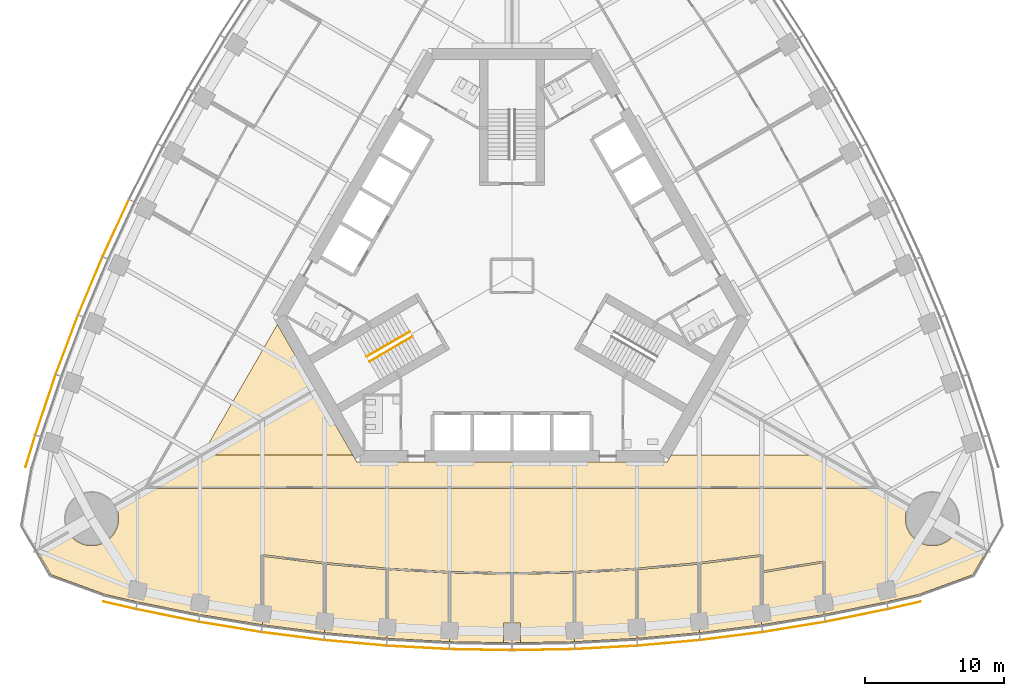
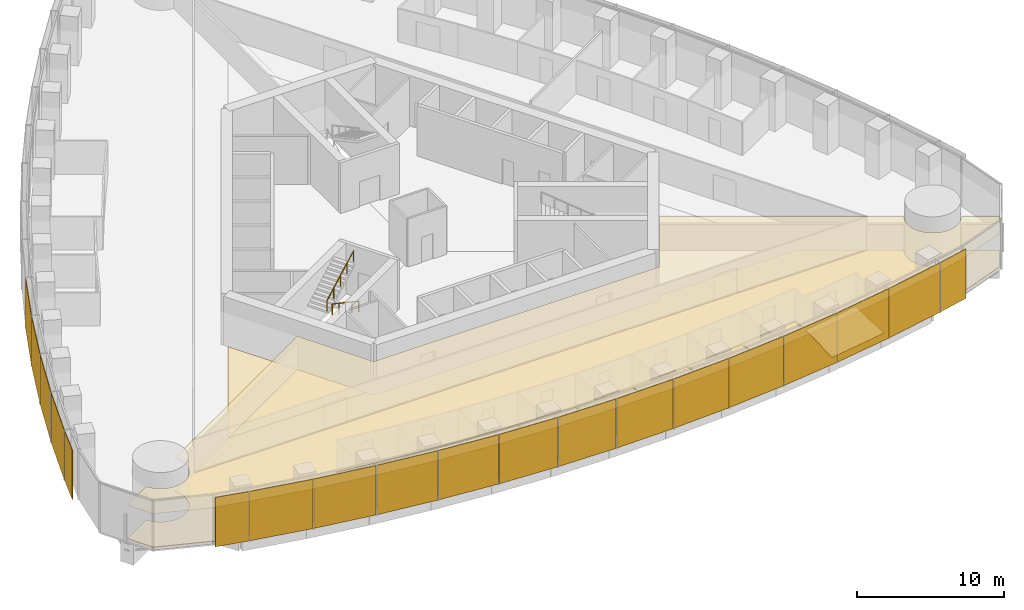
# One storey, part 17 of 21: 19 shading devices, 14 coverings, 2 railings.
"""IFC4 building model written with IfcOpenShell, lengths in metres."""

from ifc_helpers import new_model, si_unit, direction, frame, origin, origin_2d, place, context, subcontext, project, spatial, polyline, rectangle, circle, outline, extrude, material, layer, layer_set, type_object, element, save


model = new_model("IFC4")

# Units and contexts
model_context = context("Model", 3, precision=1e-05, world=origin(), true_north=direction((0.0, 1.0)))
body_context = subcontext(model_context, "Body", "Model", "MODEL_VIEW")
ifc_project = project(units=[si_unit("LENGTHUNIT", "METRE"), si_unit("AREAUNIT", "SQUARE_METRE"), si_unit("VOLUMEUNIT", "CUBIC_METRE"), si_unit("PLANEANGLEUNIT", "RADIAN"), si_unit("MASSUNIT", "GRAM", prefix="KILO")], contexts=[model_context])

# Site, building, storey
site_placement = place(None, origin())
site = spatial("IfcSite", under=ifc_project, at=site_placement, CompositionType="ELEMENT")
building_placement = place(site_placement, origin())
building = spatial("IfcBuilding", under=site, at=building_placement, Name="Trefoil Bronze Tower", CompositionType="ELEMENT")
storey_placement = place(building_placement, frame((0.0, 0.0, 145.10009765625)))
storey = spatial("IfcBuildingStorey", under=building, at=storey_placement, Name="L33", CompositionType="ELEMENT", Elevation=145.10009765625)

# Shading devices
ifc_material_1 = material(Name="Perforated bronze sheet", Category="bronze")
ifc_layer_1 = layer(ifc_material_1, 0.0400390625)
ifc_layer_set_1 = layer_set([ifc_layer_1], Name="Bronze solar screen panel")
shading_device_type = type_object("IfcShadingDeviceType", Name="Bronze solar screen panel", PredefinedType="SHUTTER", material=ifc_layer_set_1)
shading_device_1_placement = place(storey_placement, frame((-28.30078125, -23.748779296875, 0.0498046875), z_axis=(0.0, 0.0, 1.0), x_axis=(0.97420444715, -0.225667222151, 0.0)))
element("IfcShadingDevice", 1, at=shading_device_1_placement, inside=storey, type_object=shading_device_type, Name="Solar screen CW-A L33 F1 bay 1", PredefinedType="SHUTTER", context=body_context, shape_type="SweptSolid", body=[
    extrude(rectangle(XDim=2.39013671875, YDim=0.0400390625, at=origin_2d()), origin(), (0.0, 0.0, 1.0), 4.10009765625),
])
shading_device_2_placement = place(storey_placement, frame((-24.85693359375, -24.480224609375, 0.0498046875), z_axis=(0.0, 0.0, 1.0), x_axis=(0.980155155547, -0.198231861853, 0.0)))
element("IfcShadingDevice", 2, at=shading_device_2_placement, inside=storey, type_object=shading_device_type, Name="Solar screen CW-A L33 F1 bay 2", PredefinedType="SHUTTER", context=body_context, shape_type="SweptSolid", body=[
    extrude(rectangle(XDim=4.56103515625, YDim=0.0400390625, at=origin_2d()), origin(), (0.0, 0.0, 1.0), 4.10009765625),
])
shading_device_3_placement = place(storey_placement, frame((-20.337646484375, -25.30859375, 0.0498046875), z_axis=(0.0, 0.0, 1.0), x_axis=(0.986759655731, -0.162189339418, 0.0)))
element("IfcShadingDevice", 3, at=shading_device_3_placement, inside=storey, type_object=shading_device_type, Name="Solar screen CW-A L33 F1 bay 3", PredefinedType="SHUTTER", context=body_context, shape_type="SweptSolid", body=[
    extrude(rectangle(XDim=4.5302734375, YDim=0.0400390625, at=origin_2d()), origin(), (0.0, 0.0, 1.0), 4.10009765625),
])
shading_device_4_placement = place(storey_placement, frame((-15.818115234375, -25.96728515625, 0.0498046875), z_axis=(0.0, 0.0, 1.0), x_axis=(0.992011554286, -0.126147041833, 0.0)))
element("IfcShadingDevice", 4, at=shading_device_4_placement, inside=storey, type_object=shading_device_type, Name="Solar screen CW-A L33 F1 bay 4", PredefinedType="SHUTTER", context=body_context, shape_type="SweptSolid", body=[
    extrude(rectangle(XDim=4.50634765625, YDim=0.0400390625, at=origin_2d()), origin(), (0.0, 0.0, 1.0), 4.10009765625),
])
shading_device_5_placement = place(storey_placement, frame((-11.298583984375, -26.459228515625, 0.0498046875), z_axis=(0.0, 0.0, 1.0), x_axis=(0.995932279146, -0.090104913044, 0.0)))
element("IfcShadingDevice", 5, at=shading_device_5_placement, inside=storey, type_object=shading_device_type, Name="Solar screen CW-A L33 F1 bay 5", PredefinedType="SHUTTER", context=body_context, shape_type="SweptSolid", body=[
    extrude(rectangle(XDim=4.48828125, YDim=0.0400390625, at=origin_2d()), origin(), (0.0, 0.0, 1.0), 4.10009765625),
])
shading_device_6_placement = place(storey_placement, frame((-6.779296875, -26.785888671875, 0.0498046875), z_axis=(0.0, 0.0, 1.0), x_axis=(0.998537531923, -0.054062901701, 0.0)))
element("IfcShadingDevice", 6, at=shading_device_6_placement, inside=storey, type_object=shading_device_type, Name="Solar screen CW-A L33 F1 bay 6", PredefinedType="SHUTTER", context=body_context, shape_type="SweptSolid", body=[
    extrude(rectangle(XDim=4.4765625, YDim=0.0400390625, at=origin_2d()), origin(), (0.0, 0.0, 1.0), 4.10009765625),
])
for number, where, z_axis, x_axis, name in (
    (7, (-2.259765625, -26.948974609375, 0.0498046875), (0.0, 0.0, 1.0), (0.999837609322, -0.018020959612, 0.0), "Solar screen CW-A L33 F1 bay 7"),
    (8, (2.259765625, -26.948974609375, 0.0498046875), (0.0, 0.0, 1.0), (0.999837609322, 0.018020959612, 0.0), "Solar screen CW-A L33 F1 bay 8"),
):
    element("IfcShadingDevice", number, at=place(storey_placement, frame(where, z_axis=z_axis, x_axis=x_axis)), inside=storey, type_object=shading_device_type, Name=name, PredefinedType="SHUTTER", context=body_context, shape_type="SweptSolid", body=[
        extrude(rectangle(XDim=4.470703125, YDim=0.0400390625, at=origin_2d()), origin(), (0.0, 0.0, 1.0), 4.10009765625),
    ])
shading_device_7_placement = place(storey_placement, frame((6.779296875, -26.785888671875, 0.0498046875), z_axis=(0.0, 0.0, 1.0), x_axis=(0.998537531923, 0.054062901701, 0.0)))
element("IfcShadingDevice", 9, at=shading_device_7_placement, inside=storey, type_object=shading_device_type, Name="Solar screen CW-A L33 F1 bay 9", PredefinedType="SHUTTER", context=body_context, shape_type="SweptSolid", body=[
    extrude(rectangle(XDim=4.4765625, YDim=0.0400390625, at=origin_2d()), origin(), (0.0, 0.0, 1.0), 4.10009765625),
])
shading_device_8_placement = place(storey_placement, frame((11.298583984375, -26.459228515625, 0.0498046875), z_axis=(0.0, 0.0, 1.0), x_axis=(0.995932279146, 0.090104913044, 0.0)))
element("IfcShadingDevice", 10, at=shading_device_8_placement, inside=storey, type_object=shading_device_type, Name="Solar screen CW-A L33 F1 bay 10", PredefinedType="SHUTTER", context=body_context, shape_type="SweptSolid", body=[
    extrude(rectangle(XDim=4.48828125, YDim=0.0400390625, at=origin_2d()), origin(), (0.0, 0.0, 1.0), 4.10009765625),
])
shading_device_9_placement = place(storey_placement, frame((15.818115234375, -25.96728515625, 0.0498046875), z_axis=(0.0, 0.0, 1.0), x_axis=(0.992011554286, 0.126147041833, 0.0)))
element("IfcShadingDevice", 11, at=shading_device_9_placement, inside=storey, type_object=shading_device_type, Name="Solar screen CW-A L33 F1 bay 11", PredefinedType="SHUTTER", context=body_context, shape_type="SweptSolid", body=[
    extrude(rectangle(XDim=4.50634765625, YDim=0.0400390625, at=origin_2d()), origin(), (0.0, 0.0, 1.0), 4.10009765625),
])
shading_device_10_placement = place(storey_placement, frame((20.337646484375, -25.30859375, 0.0498046875), z_axis=(0.0, 0.0, 1.0), x_axis=(0.986759655731, 0.162189339418, 0.0)))
element("IfcShadingDevice", 12, at=shading_device_10_placement, inside=storey, type_object=shading_device_type, Name="Solar screen CW-A L33 F1 bay 12", PredefinedType="SHUTTER", context=body_context, shape_type="SweptSolid", body=[
    extrude(rectangle(XDim=4.5302734375, YDim=0.0400390625, at=origin_2d()), origin(), (0.0, 0.0, 1.0), 4.10009765625),
])
shading_device_11_placement = place(storey_placement, frame((24.85693359375, -24.480224609375, 0.0498046875), z_axis=(0.0, 0.0, 1.0), x_axis=(0.980155155547, 0.198231861853, 0.0)))
element("IfcShadingDevice", 13, at=shading_device_11_placement, inside=storey, type_object=shading_device_type, Name="Solar screen CW-A L33 F1 bay 13", PredefinedType="SHUTTER", context=body_context, shape_type="SweptSolid", body=[
    extrude(rectangle(XDim=4.56103515625, YDim=0.0400390625, at=origin_2d()), origin(), (0.0, 0.0, 1.0), 4.10009765625),
])
shading_device_12_placement = place(storey_placement, frame((28.30078125, -23.748779296875, 0.0498046875), z_axis=(0.0, 0.0, 1.0), x_axis=(0.97420444715, 0.225667222151, 0.0)))
element("IfcShadingDevice", 14, at=shading_device_12_placement, inside=storey, type_object=shading_device_type, Name="Solar screen CW-A L33 F1 bay 14", PredefinedType="SHUTTER", context=body_context, shape_type="SweptSolid", body=[
    extrude(rectangle(XDim=2.39013671875, YDim=0.0400390625, at=origin_2d()), origin(), (0.0, 0.0, 1.0), 4.10009765625),
])
shading_device_13_placement = place(storey_placement, frame((-28.563720703125, 3.444580078125, 0.0498046875), z_axis=(0.0, 0.0, 1.0), x_axis=(-0.419932995871, -0.907555110712, 0.0)))
element("IfcShadingDevice", 15, at=shading_device_13_placement, inside=storey, type_object=shading_device_type, Name="Solar screen CW-A L33 F3 bay 10", PredefinedType="SHUTTER", context=body_context, shape_type="SweptSolid", body=[
    extrude(rectangle(XDim=4.48828125, YDim=0.0400390625, at=origin_2d()), origin(), (0.0, 0.0, 1.0), 4.10009765625),
])
shading_device_14_placement = place(storey_placement, frame((-30.3974609375, -0.715087890625, 0.0498046875), z_axis=(0.0, 0.0, 1.0), x_axis=(-0.386759234303, -0.922180727776, 0.0)))
element("IfcShadingDevice", 16, at=shading_device_14_placement, inside=storey, type_object=shading_device_type, Name="Solar screen CW-A L33 F3 bay 11", PredefinedType="SHUTTER", context=body_context, shape_type="SweptSolid", body=[
    extrude(rectangle(XDim=4.50634765625, YDim=0.0400390625, at=origin_2d()), origin(), (0.0, 0.0, 1.0), 4.10009765625),
])
shading_device_15_placement = place(storey_placement, frame((-32.086669921875, -4.95849609375, 0.0498046875), z_axis=(0.0, 0.0, 1.0), x_axis=(-0.352919739707, -0.935653599002, 0.0)))
element("IfcShadingDevice", 17, at=shading_device_15_placement, inside=storey, type_object=shading_device_type, Name="Solar screen CW-A L33 F3 bay 12", PredefinedType="SHUTTER", context=body_context, shape_type="SweptSolid", body=[
    extrude(rectangle(XDim=4.5302734375, YDim=0.0400390625, at=origin_2d()), origin(), (0.0, 0.0, 1.0), 4.10009765625),
])
shading_device_16_placement = place(storey_placement, frame((-33.62890625, -9.286865234375, 0.0498046875), z_axis=(0.0, 0.0, 1.0), x_axis=(-0.318403749569, -0.947955195281, 0.0)))
element("IfcShadingDevice", 18, at=shading_device_16_placement, inside=storey, type_object=shading_device_type, Name="Solar screen CW-A L33 F3 bay 13", PredefinedType="SHUTTER", context=body_context, shape_type="SweptSolid", body=[
    extrude(rectangle(XDim=4.56103515625, YDim=0.0400390625, at=origin_2d()), origin(), (0.0, 0.0, 1.0), 4.10009765625),
])
shading_device_17_placement = place(storey_placement, frame((-34.717529296875, -12.634765625, 0.0498046875), z_axis=(0.0, 0.0, 1.0), x_axis=(-0.291668676391, -0.956519410787, 0.0)))
element("IfcShadingDevice", 19, at=shading_device_17_placement, inside=storey, type_object=shading_device_type, Name="Solar screen CW-A L33 F3 bay 14", PredefinedType="SHUTTER", context=body_context, shape_type="SweptSolid", body=[
    extrude(rectangle(XDim=2.39013671875, YDim=0.0400390625, at=origin_2d()), origin(), (0.0, 0.0, 1.0), 4.10009765625),
])

# Railings
ifc_material_2 = material(Name="Steel handrail", Category="steel")
railing_type = type_object("IfcRailingType", Name="Handrail 900", PredefinedType="HANDRAIL", material=ifc_material_2)
railing_1_placement = place(storey_placement, frame((-7.166015625, -4.3681640625, 0.161376953125)))
element("IfcRailing", 20, at=railing_1_placement, inside=storey, type_object=railing_type, Name="Handrail ST3 flight 1 L33", PredefinedType="HANDRAIL", context=body_context, shape_type="SweptSolid", body=[
    extrude(circle(Radius=0.02392578125, at=origin_2d()), frame((0.0, 0.0, 0.8759765625), z_axis=(-0.76250339821, -0.440245697338, 0.474101564745), x_axis=(0.500012057535, -0.866018442252, 0.0)), (0.0, 0.0, 1.0), 4.088623046875),
    extrude(circle(Radius=0.02099609375, at=origin_2d()), origin(), (0.0, 0.0, 1.0), 0.851806640625),
    extrude(circle(Radius=0.02099609375, at=origin_2d()), frame((-0.779296875, -0.449951171875, 0.484619140625)), (0.0, 0.0, 1.0), 0.851806640625),
    extrude(circle(Radius=0.02099609375, at=origin_2d()), frame((-1.558837890625, -0.89990234375, 0.96923828125)), (0.0, 0.0, 1.0), 0.851806640625),
    extrude(circle(Radius=0.02099609375, at=origin_2d()), frame((-2.33837890625, -1.35009765625, 1.453857421875)), (0.0, 0.0, 1.0), 0.851806640625),
    extrude(circle(Radius=0.02099609375, at=origin_2d()), frame((-3.11767578125, -1.800048828125, 1.9384765625)), (0.0, 0.0, 1.0), 0.851806640625),
])
railing_2_placement = place(storey_placement, frame((-10.483642578125, -5.82177734375, 2.261474609375)))
element("IfcRailing", 21, at=railing_2_placement, inside=storey, type_object=railing_type, Name="Handrail ST3 flight 2 L33", PredefinedType="HANDRAIL", context=body_context, shape_type="SweptSolid", body=[
    extrude(circle(Radius=0.02392578125, at=origin_2d()), frame((0.0, 0.0, 0.8759765625), z_axis=(0.76250339821, 0.440245697338, 0.474101564745), x_axis=(-0.500012057535, 0.866018442252, 0.0)), (0.0, 0.0, 1.0), 4.088623046875),
    extrude(circle(Radius=0.02099609375, at=origin_2d()), origin(), (0.0, 0.0, 1.0), 0.851806640625),
    extrude(circle(Radius=0.02099609375, at=origin_2d()), frame((0.779296875, 0.449951171875, 0.484619140625)), (0.0, 0.0, 1.0), 0.851806640625),
    extrude(circle(Radius=0.02099609375, at=origin_2d()), frame((1.558837890625, 0.89990234375, 0.96923828125)), (0.0, 0.0, 1.0), 0.851806640625),
    extrude(circle(Radius=0.02099609375, at=origin_2d()), frame((2.33837890625, 1.35009765625, 1.453857421875)), (0.0, 0.0, 1.0), 0.851806640625),
    extrude(circle(Radius=0.02099609375, at=origin_2d()), frame((3.11767578125, 1.800048828125, 1.9384765625)), (0.0, 0.0, 1.0), 0.851806640625),
])

# Coverings
ifc_material_3 = material(Name="Acoustic ceiling panels", Category="mineral fibre")
ifc_layer_2 = layer(ifc_material_3, 0.02001953125)
ifc_layer_set_2 = layer_set([ifc_layer_2], Name="Office ceiling 20")
covering_type_1 = type_object("IfcCoveringType", Name="Office ceiling 20", PredefinedType="CEILING", material=ifc_layer_set_2)
covering_1_placement = place(storey_placement, frame((0.0, 0.0, 2.89990234375)))
element("IfcCovering", 22, at=covering_1_placement, inside=storey, type_object=covering_type_1, Name="Ceiling L33 Open-plan office F1", PredefinedType="CEILING", context=body_context, shape_type="SweptSolid", body=[
    extrude(outline(polyline([(-31.932373046875, -18.58349609375), (-31.877197265625, -18.66162109375), (-31.818359375, -18.737060546875), (-31.755615234375, -18.8095703125), (-31.689697265625, -18.87890625), (-31.620361328125, -18.94482421875), (-31.548095703125, -19.00732421875), (-31.472412109375, -19.06640625), (-31.394287109375, -19.121337890625), (-31.3134765625, -19.172607421875), (-31.22998046875, -19.2197265625), (-31.14453125, -19.2626953125), (-31.05712890625, -19.301513671875), (-30.9677734375, -19.3359375), (-30.876953125, -19.365966796875), (-30.78466796875, -19.3916015625), (-30.69140625, -19.41259765625), (-30.596923828125, -19.428955078125), (-30.501953125, -19.440673828125), (-30.406494140625, -19.44775390625), (-30.310791015625, -19.449951171875), (-30.215087890625, -19.44775390625), (-30.119873046875, -19.440673828125), (-30.02490234375, -19.428955078125), (-29.930419921875, -19.41259765625), (-29.837158203125, -19.3916015625), (-29.744873046875, -19.365966796875), (-29.654052734375, -19.3359375), (-29.564697265625, -19.301513671875), (-29.477294921875, -19.2626953125), (-29.3916015625, -19.2197265625), (-29.308349609375, -19.172607421875), (-29.2275390625, -19.121337890625), (-29.1494140625, -19.06640625), (-29.07373046875, -19.00732421875), (-29.001220703125, -18.94482421875), (-28.931884765625, -18.87890625), (-28.865966796875, -18.8095703125), (-28.803466796875, -18.737060546875), (-28.74462890625, -18.66162109375), (-28.689453125, -18.58349609375), (-28.63818359375, -18.50244140625), (-28.591064453125, -18.419189453125), (-28.548095703125, -18.333740234375), (-28.50927734375, -18.24609375), (-28.474853515625, -18.156982421875), (-28.44482421875, -18.066162109375), (-28.419189453125, -17.973876953125), (-28.3984375, -17.88037109375), (-28.382080078125, -17.7861328125), (-28.370361328125, -17.691162109375), (-28.36328125, -17.595703125), (-28.36083984375, -17.5), (-28.36328125, -17.404296875), (-28.370361328125, -17.308837890625), (-28.382080078125, -17.2138671875), (-28.3984375, -17.11962890625), (-28.419189453125, -17.026123046875), (-28.44482421875, -16.933837890625), (-28.474853515625, -16.843017578125), (-28.50927734375, -16.75390625), (-28.548095703125, -16.666259765625), (-28.591064453125, -16.580810546875), (-28.616455078125, -16.535888671875), (-14.19970703125, -8.205322265625), (-11.20068359375, -13.39990234375), (11.20068359375, -13.39990234375), (14.19970703125, -8.205322265625), (28.616455078125, -16.535888671875), (28.591064453125, -16.580810546875), (28.548095703125, -16.666259765625), (28.50927734375, -16.75390625), (28.474853515625, -16.843017578125), (28.44482421875, -16.933837890625), (28.419189453125, -17.026123046875), (28.3984375, -17.11962890625), (28.382080078125, -17.2138671875), (28.370361328125, -17.308837890625), (28.36328125, -17.404296875), (28.36083984375, -17.5), (28.36328125, -17.595703125), (28.370361328125, -17.691162109375), (28.382080078125, -17.7861328125), (28.3984375, -17.88037109375), (28.419189453125, -17.973876953125), (28.44482421875, -18.066162109375), (28.474853515625, -18.156982421875), (28.50927734375, -18.24609375), (28.548095703125, -18.333740234375), (28.591064453125, -18.419189453125), (28.63818359375, -18.50244140625), (28.689453125, -18.58349609375), (28.74462890625, -18.66162109375), (28.803466796875, -18.737060546875), (28.865966796875, -18.8095703125), (28.931884765625, -18.87890625), (29.001220703125, -18.94482421875), (29.07373046875, -19.00732421875), (29.1494140625, -19.06640625), (29.2275390625, -19.121337890625), (29.308349609375, -19.172607421875), (29.3916015625, -19.2197265625), (29.477294921875, -19.2626953125), (29.564697265625, -19.301513671875), (29.654052734375, -19.3359375), (29.744873046875, -19.365966796875), (29.837158203125, -19.3916015625), (29.930419921875, -19.41259765625), (30.02490234375, -19.428955078125), (30.119873046875, -19.440673828125), (30.215087890625, -19.44775390625), (30.310791015625, -19.449951171875), (30.406494140625, -19.44775390625), (30.501953125, -19.440673828125), (30.596923828125, -19.428955078125), (30.69140625, -19.41259765625), (30.78466796875, -19.3916015625), (30.876953125, -19.365966796875), (30.9677734375, -19.3359375), (31.05712890625, -19.301513671875), (31.14453125, -19.2626953125), (31.22998046875, -19.2197265625), (31.3134765625, -19.172607421875), (31.394287109375, -19.121337890625), (31.472412109375, -19.06640625), (31.548095703125, -19.00732421875), (31.620361328125, -18.94482421875), (31.689697265625, -18.87890625), (31.755615234375, -18.8095703125), (31.818359375, -18.737060546875), (31.877197265625, -18.66162109375), (31.932373046875, -18.58349609375), (31.992431640625, -18.48681640625), (34.233154296875, -19.781494140625), (33.21435546875, -21.5458984375), (29.357666015625, -22.94970703125), (27.0, -23.495849609375), (22.5, -24.406005859375), (18.0, -25.1455078125), (13.5, -25.7177734375), (9.0, -26.125), (4.5, -26.36865234375), (0.0, -26.44970703125), (-4.5, -26.36865234375), (-9.0, -26.125), (-13.5, -25.7177734375), (-18.0, -25.1455078125), (-22.5, -24.406005859375), (-27.0, -23.495849609375), (-29.357666015625, -22.94970703125), (-33.21435546875, -21.5458984375), (-34.233154296875, -19.781494140625), (-31.992431640625, -18.48681640625), (-31.932373046875, -18.58349609375)])), origin(), (0.0, 0.0, 1.0), 0.02001953125),
])
ifc_material_4 = material(Name="Raised access floor panels", Category="steel")
ifc_layer_3 = layer(ifc_material_4, 0.050048828125)
ifc_layer_set_3 = layer_set([ifc_layer_3], Name="Raised access floor 150")
covering_type_2 = type_object("IfcCoveringType", Name="Raised access floor 150", PredefinedType="FLOORING", material=ifc_layer_set_3)
covering_2_placement = place(storey_placement, frame((0.0, 0.0, 0.099853515625)))
element("IfcCovering", 23, at=covering_2_placement, inside=storey, type_object=covering_type_2, Name="Raised floor L33 Office F1", PredefinedType="FLOORING", context=body_context, shape_type="SweptSolid", body=[
    extrude(outline(polyline([(-18.0, -23.67529296875), (-17.93994140625, -23.67529296875), (-17.93994140625, -20.213623046875), (-13.56005859375, -20.770751953125), (-13.56005859375, -24.25439453125), (-13.5, -24.25439453125), (-13.5, -25.7177734375), (-18.0, -25.1455078125), (-18.0, -23.67529296875)])), origin(), (0.0, 0.0, 1.0), 0.050048828125),
])
covering_3_placement = place(storey_placement, frame((0.0, 0.0, 0.099853515625)))
element("IfcCovering", 24, at=covering_3_placement, inside=storey, type_object=covering_type_2, Name="Raised floor L33 Office F1", PredefinedType="FLOORING", context=body_context, shape_type="SweptSolid", body=[
    extrude(outline(polyline([(-13.5, -24.25439453125), (-13.43994140625, -24.25439453125), (-13.43994140625, -20.783447265625), (-9.06005859375, -21.1796875), (-9.06005859375, -24.666259765625), (-9.0, -24.666259765625), (-9.0, -26.125), (-13.5, -25.7177734375), (-13.5, -24.25439453125)])), origin(), (0.0, 0.0, 1.0), 0.050048828125),
])
covering_4_placement = place(storey_placement, frame((0.0, 0.0, 0.099853515625)))
element("IfcCovering", 25, at=covering_4_placement, inside=storey, type_object=covering_type_2, Name="Raised floor L33 Office F1", PredefinedType="FLOORING", context=body_context, shape_type="SweptSolid", body=[
    extrude(outline(polyline([(-9.0, -24.666259765625), (-8.93994140625, -24.666259765625), (-8.93994140625, -21.188232421875), (-4.56005859375, -21.42529296875), (-4.56005859375, -24.91259765625), (-4.5, -24.91259765625), (-4.5, -26.36865234375), (-9.0, -26.125), (-9.0, -24.666259765625)])), origin(), (0.0, 0.0, 1.0), 0.050048828125),
])
covering_5_placement = place(storey_placement, frame((0.0, 0.0, 0.099853515625)))
element("IfcCovering", 26, at=covering_5_placement, inside=storey, type_object=covering_type_2, Name="Raised floor L33 Office F1", PredefinedType="FLOORING", context=body_context, shape_type="SweptSolid", body=[
    extrude(outline(polyline([(-4.5, -24.91259765625), (-4.43994140625, -24.91259765625), (-4.43994140625, -21.4296875), (-0.06005859375, -21.508544921875), (-0.06005859375, -24.99462890625), (0.0, -24.99462890625), (0.0, -25.023681640625), (-0.6259765625, -25.023681640625), (-0.6259765625, -26.4384765625), (-4.5, -26.36865234375), (-4.5, -24.91259765625)])), origin(), (0.0, 0.0, 1.0), 0.050048828125),
])
covering_6_placement = place(storey_placement, frame((0.0, 0.0, 0.099853515625)))
element("IfcCovering", 27, at=covering_6_placement, inside=storey, type_object=covering_type_2, Name="Raised floor L33 Office F1", PredefinedType="FLOORING", context=body_context, shape_type="SweptSolid", body=[
    extrude(outline(polyline([(0.0, -24.99462890625), (0.06005859375, -24.99462890625), (0.06005859375, -21.508544921875), (4.43994140625, -21.4296875), (4.43994140625, -24.91259765625), (4.5, -24.91259765625), (4.5, -26.36865234375), (0.6259765625, -26.4384765625), (0.6259765625, -25.023681640625), (0.0, -25.023681640625), (0.0, -24.99462890625)])), origin(), (0.0, 0.0, 1.0), 0.050048828125),
])
covering_7_placement = place(storey_placement, frame((0.0, 0.0, 0.099853515625)))
element("IfcCovering", 28, at=covering_7_placement, inside=storey, type_object=covering_type_2, Name="Raised floor L33 Office F1", PredefinedType="FLOORING", context=body_context, shape_type="SweptSolid", body=[
    extrude(outline(polyline([(4.5, -24.91259765625), (4.56005859375, -24.91259765625), (4.56005859375, -21.42529296875), (8.93994140625, -21.188232421875), (8.93994140625, -24.666259765625), (9.0, -24.666259765625), (9.0, -26.125), (4.5, -26.36865234375), (4.5, -24.91259765625)])), origin(), (0.0, 0.0, 1.0), 0.050048828125),
])
covering_8_placement = place(storey_placement, frame((0.0, 0.0, 0.099853515625)))
element("IfcCovering", 29, at=covering_8_placement, inside=storey, type_object=covering_type_2, Name="Raised floor L33 Meeting room F1", PredefinedType="FLOORING", context=body_context, shape_type="SweptSolid", body=[
    extrude(outline(polyline([(9.0, -24.666259765625), (9.06005859375, -24.666259765625), (9.06005859375, -21.1796875), (13.43994140625, -20.783447265625), (13.43994140625, -24.25439453125), (13.5, -24.25439453125), (13.5, -25.7177734375), (9.0, -26.125), (9.0, -24.666259765625)])), origin(), (0.0, 0.0, 1.0), 0.050048828125),
])
covering_9_placement = place(storey_placement, frame((0.0, 0.0, 0.099853515625)))
element("IfcCovering", 30, at=covering_9_placement, inside=storey, type_object=covering_type_2, Name="Raised floor L33 Meeting room F1", PredefinedType="FLOORING", context=body_context, shape_type="SweptSolid", body=[
    extrude(outline(polyline([(13.5, -24.25439453125), (13.56005859375, -24.25439453125), (13.56005859375, -20.770751953125), (17.93994140625, -20.213623046875), (17.93994140625, -23.67529296875), (18.0, -23.67529296875), (18.0, -25.1455078125), (13.5, -25.7177734375), (13.5, -24.25439453125)])), origin(), (0.0, 0.0, 1.0), 0.050048828125),
])
covering_10_placement = place(storey_placement, frame((0.0, 0.0, 0.099853515625)))
element("IfcCovering", 31, at=covering_10_placement, inside=storey, type_object=covering_type_2, Name="Raised floor L33 Pantry F1", PredefinedType="FLOORING", context=body_context, shape_type="SweptSolid", body=[
    extrude(outline(polyline([(18.0, -23.67529296875), (18.06005859375, -23.67529296875), (18.06005859375, -21.396484375), (22.43994140625, -20.676513671875), (22.43994140625, -22.927001953125), (22.5, -22.927001953125), (22.5, -24.406005859375), (18.0, -25.1455078125), (18.0, -23.67529296875)])), origin(), (0.0, 0.0, 1.0), 0.050048828125),
])
covering_11_placement = place(storey_placement, frame((0.0, 0.0, 0.099853515625)))
element("IfcCovering", 32, at=covering_11_placement, inside=storey, type_object=covering_type_2, Name="Raised floor L33 Corridor F1", PredefinedType="FLOORING", context=body_context, shape_type="SweptSolid", body=[
    extrude(outline(polyline([(26.304443359375, -15.199951171875), (-26.304443359375, -15.199951171875), (-22.32421875, -12.89990234375), (-11.4892578125, -12.89990234375), (-11.20068359375, -13.39990234375), (11.20068359375, -13.39990234375), (11.4892578125, -12.89990234375), (22.32421875, -12.89990234375), (26.304443359375, -15.199951171875)])), origin(), (0.0, 0.0, 1.0), 0.050048828125),
])
covering_12_placement = place(storey_placement, frame((0.0, 0.0, 0.099853515625)))
element("IfcCovering", 33, at=covering_12_placement, inside=storey, type_object=covering_type_2, Name="Raised floor L33 Open-plan office F1", PredefinedType="FLOORING", context=body_context, shape_type="SweptSolid", body=[
    extrude(outline(polyline([(-28.591064453125, -16.580810546875), (-28.616455078125, -16.535888671875), (-26.398193359375, -15.254150390625), (-26.398193359375, -15.320068359375), (26.398193359375, -15.320068359375), (26.398193359375, -15.254150390625), (28.616455078125, -16.535888671875), (28.591064453125, -16.580810546875), (28.548095703125, -16.666259765625), (28.50927734375, -16.75390625), (28.474853515625, -16.843017578125), (28.44482421875, -16.933837890625), (28.419189453125, -17.026123046875), (28.3984375, -17.11962890625), (28.382080078125, -17.2138671875), (28.370361328125, -17.308837890625), (28.36328125, -17.404296875), (28.36083984375, -17.5), (28.36328125, -17.595703125), (28.370361328125, -17.691162109375), (28.382080078125, -17.7861328125), (28.3984375, -17.88037109375), (28.419189453125, -17.973876953125), (28.44482421875, -18.066162109375), (28.474853515625, -18.156982421875), (28.50927734375, -18.24609375), (28.548095703125, -18.333740234375), (28.591064453125, -18.419189453125), (28.63818359375, -18.50244140625), (28.689453125, -18.58349609375), (28.74462890625, -18.66162109375), (28.803466796875, -18.737060546875), (28.865966796875, -18.8095703125), (28.931884765625, -18.87890625), (29.001220703125, -18.94482421875), (29.07373046875, -19.00732421875), (29.1494140625, -19.06640625), (29.2275390625, -19.121337890625), (29.308349609375, -19.172607421875), (29.3916015625, -19.2197265625), (29.477294921875, -19.2626953125), (29.564697265625, -19.301513671875), (29.654052734375, -19.3359375), (29.744873046875, -19.365966796875), (29.837158203125, -19.3916015625), (29.930419921875, -19.41259765625), (30.02490234375, -19.428955078125), (30.119873046875, -19.440673828125), (30.215087890625, -19.44775390625), (30.310791015625, -19.449951171875), (30.406494140625, -19.44775390625), (30.501953125, -19.440673828125), (30.596923828125, -19.428955078125), (30.69140625, -19.41259765625), (30.78466796875, -19.3916015625), (30.876953125, -19.365966796875), (30.9677734375, -19.3359375), (31.05712890625, -19.301513671875), (31.14453125, -19.2626953125), (31.22998046875, -19.2197265625), (31.3134765625, -19.172607421875), (31.394287109375, -19.121337890625), (31.472412109375, -19.06640625), (31.548095703125, -19.00732421875), (31.620361328125, -18.94482421875), (31.689697265625, -18.87890625), (31.755615234375, -18.8095703125), (31.818359375, -18.737060546875), (31.877197265625, -18.66162109375), (31.932373046875, -18.58349609375), (31.992431640625, -18.48681640625), (34.233154296875, -19.781494140625), (33.21435546875, -21.5458984375), (29.357666015625, -22.94970703125), (27.0, -23.495849609375), (22.5, -24.406005859375), (22.5, -22.927001953125), (22.56005859375, -22.927001953125), (22.56005859375, -20.60595703125), (22.5, -20.60595703125), (22.490234375, -20.546630859375), (18.06005859375, -21.27490234375), (18.06005859375, -20.1455078125), (18.0, -20.1455078125), (17.992431640625, -20.0859375), (13.493408203125, -20.658203125), (8.99560546875, -21.065185546875), (4.497802734375, -21.30859375), (0.0, -21.3896484375), (-4.497802734375, -21.30859375), (-8.99560546875, -21.065185546875), (-13.493408203125, -20.658203125), (-17.992431640625, -20.0859375), (-18.0, -20.1455078125), (-18.06005859375, -20.1455078125), (-18.06005859375, -23.67529296875), (-18.0, -23.67529296875), (-18.0, -25.1455078125), (-22.5, -24.406005859375), (-27.0, -23.495849609375), (-29.357666015625, -22.94970703125), (-33.21435546875, -21.5458984375), (-34.233154296875, -19.781494140625), (-31.992431640625, -18.48681640625), (-31.932373046875, -18.58349609375), (-31.877197265625, -18.66162109375), (-31.818359375, -18.737060546875), (-31.755615234375, -18.8095703125), (-31.689697265625, -18.87890625), (-31.620361328125, -18.94482421875), (-31.548095703125, -19.00732421875), (-31.472412109375, -19.06640625), (-31.394287109375, -19.121337890625), (-31.3134765625, -19.172607421875), (-31.22998046875, -19.2197265625), (-31.14453125, -19.2626953125), (-31.05712890625, -19.301513671875), (-30.9677734375, -19.3359375), (-30.876953125, -19.365966796875), (-30.78466796875, -19.3916015625), (-30.69140625, -19.41259765625), (-30.596923828125, -19.428955078125), (-30.501953125, -19.440673828125), (-30.406494140625, -19.44775390625), (-30.310791015625, -19.449951171875), (-30.215087890625, -19.44775390625), (-30.119873046875, -19.440673828125), (-30.02490234375, -19.428955078125), (-29.930419921875, -19.41259765625), (-29.837158203125, -19.3916015625), (-29.744873046875, -19.365966796875), (-29.654052734375, -19.3359375), (-29.564697265625, -19.301513671875), (-29.477294921875, -19.2626953125), (-29.3916015625, -19.2197265625), (-29.308349609375, -19.172607421875), (-29.2275390625, -19.121337890625), (-29.1494140625, -19.06640625), (-29.07373046875, -19.00732421875), (-29.001220703125, -18.94482421875), (-28.931884765625, -18.87890625), (-28.865966796875, -18.8095703125), (-28.803466796875, -18.737060546875), (-28.74462890625, -18.66162109375), (-28.689453125, -18.58349609375), (-28.63818359375, -18.50244140625), (-28.591064453125, -18.419189453125), (-28.548095703125, -18.333740234375), (-28.50927734375, -18.24609375), (-28.474853515625, -18.156982421875), (-28.44482421875, -18.066162109375), (-28.419189453125, -17.973876953125), (-28.3984375, -17.88037109375), (-28.382080078125, -17.7861328125), (-28.370361328125, -17.691162109375), (-28.36328125, -17.595703125), (-28.36083984375, -17.5), (-28.36328125, -17.404296875), (-28.370361328125, -17.308837890625), (-28.382080078125, -17.2138671875), (-28.3984375, -17.11962890625), (-28.419189453125, -17.026123046875), (-28.44482421875, -16.933837890625), (-28.474853515625, -16.843017578125), (-28.50927734375, -16.75390625), (-28.548095703125, -16.666259765625), (-28.591064453125, -16.580810546875)])), origin(), (0.0, 0.0, 1.0), 0.050048828125),
])
covering_13_placement = place(storey_placement, frame((0.0, 0.0, 0.099853515625)))
element("IfcCovering", 34, at=covering_13_placement, inside=storey, type_object=covering_type_2, Name="Raised floor L33 Open-plan office F1", PredefinedType="FLOORING", context=body_context, shape_type="SweptSolid", body=[
    extrude(outline(polyline([(-22.32421875, -12.89990234375), (-14.19970703125, -8.205322265625), (-11.4892578125, -12.89990234375), (-22.32421875, -12.89990234375)])), origin(), (0.0, 0.0, 1.0), 0.050048828125),
])
covering_14_placement = place(storey_placement, frame((0.0, 0.0, 0.099853515625)))
element("IfcCovering", 35, at=covering_14_placement, inside=storey, type_object=covering_type_2, Name="Raised floor L33 Open-plan office F3", PredefinedType="FLOORING", context=body_context, shape_type="SweptSolid", body=[
    extrude(outline(polyline([(-16.91650390625, -3.5), (-14.205810546875, -8.194580078125), (-22.333740234375, -12.88330078125), (-16.91650390625, -3.5)])), origin(), (0.0, 0.0, 1.0), 0.050048828125),
])

save(model, "model.ifc")
